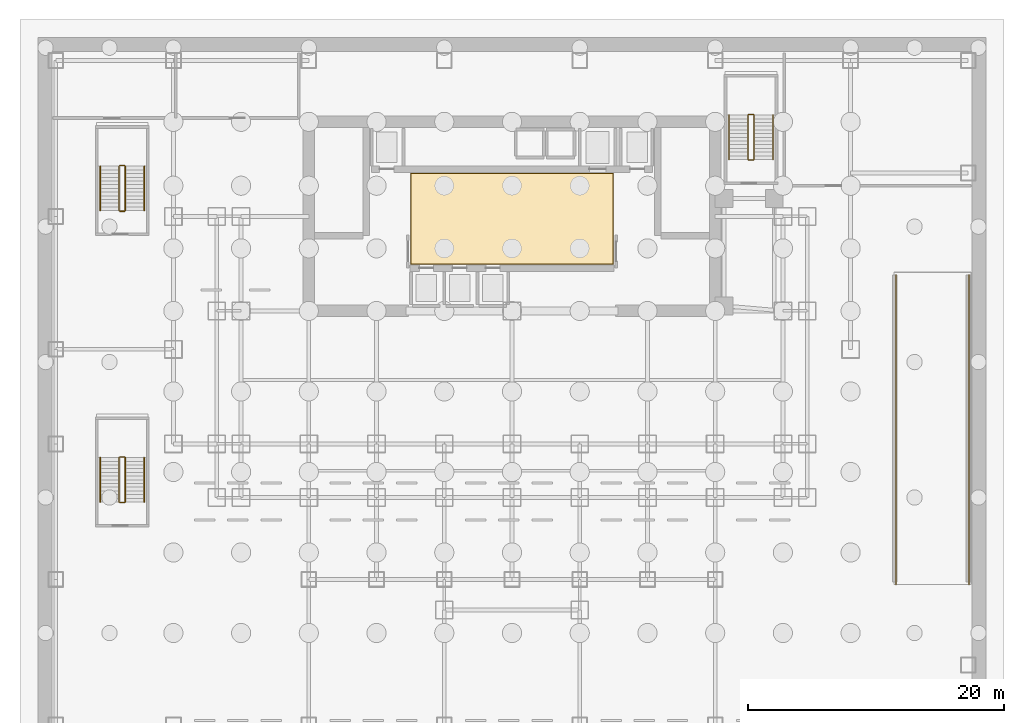
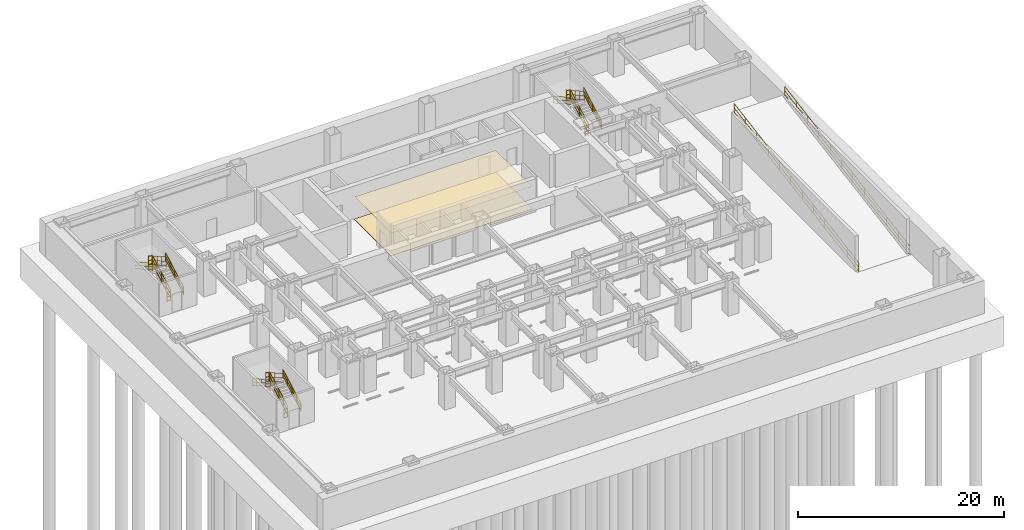
# One storey, part 6 of 7: 20 railings, 2 coverings.
"""IFC4 building model written with IfcOpenShell, lengths in metres."""

from ifc_helpers import new_model, si_unit, direction, frame, origin, origin_2d, place, context, subcontext, project, spatial, polyline, circle, outline, extrude, material, layer, layer_set, type_object, element, save


model = new_model("IFC4")

# Units and contexts
model_context = context("Model", 3, precision=1e-05, world=origin(), true_north=direction((0.0, 1.0)))
body_context = subcontext(model_context, "Body", "Model", "MODEL_VIEW")
ifc_project = project(units=[si_unit("LENGTHUNIT", "METRE"), si_unit("AREAUNIT", "SQUARE_METRE"), si_unit("VOLUMEUNIT", "CUBIC_METRE"), si_unit("PLANEANGLEUNIT", "RADIAN"), si_unit("MASSUNIT", "GRAM", prefix="KILO")], contexts=[model_context])

# Site, building, storey
site_placement = place(None, origin())
site = spatial("IfcSite", under=ifc_project, at=site_placement, CompositionType="ELEMENT")
building_placement = place(site_placement, origin())
building = spatial("IfcBuilding", under=site, at=building_placement, Name="Qianlan Lanfeng Residences", CompositionType="ELEMENT")
storey_placement = place(building_placement, frame((0.0, 0.0, -8.39990234375)))
storey = spatial("IfcBuildingStorey", under=building, at=storey_placement, Name="B2", CompositionType="ELEMENT", Elevation=-8.39990234375)

# Coverings
ifc_material_1 = material(Name="Acoustic Perforated Gypsum Ceiling Board")
ifc_layer_1 = layer(ifc_material_1, 0.02001953125)
ifc_layer_set_1 = layer_set([ifc_layer_1], Name="Acoustic Perforated Gypsum Ceiling Board")
covering_type_1 = type_object("IfcCoveringType", Name="CLG-GYP-15", PredefinedType="CEILING", material=ifc_layer_set_1)
covering_1_placement = place(storey_placement, frame((0.0, 0.0, 2.659912109375)))
element("IfcCovering", 1, at=covering_1_placement, inside=storey, type_object=covering_type_1, Name="B2 Lift Lobby Suspended Ceiling", PredefinedType="CEILING", context=body_context, shape_type="SweptSolid", body=[
    extrude(outline(polyline([(18.60009765625, 28.8701171875), (34.39990234375, 28.8701171875), (34.39990234375, 35.9599609375), (18.60009765625, 35.9599609375), (18.60009765625, 28.8701171875)])), origin(), (0.0, 0.0, 1.0), 0.02001953125),
])
ifc_material_2 = material(Name="Honed Taitung Granite Stone Flooring", Category="masonry")
ifc_layer_2 = layer(ifc_material_2, 0.030029296875)
ifc_layer_set_2 = layer_set([ifc_layer_2], Name="Honed Taitung Granite Stone Flooring")
covering_type_2 = type_object("IfcCoveringType", Name="FLR-STN-30", PredefinedType="FLOORING", material=ifc_layer_set_2)
covering_2_placement = place(storey_placement, origin())
element("IfcCovering", 2, at=covering_2_placement, inside=storey, type_object=covering_type_2, Name="B2 Lift Lobby Floor Finish", PredefinedType="FLOORING", context=body_context, shape_type="SweptSolid", body=[
    extrude(outline(polyline([(18.550048828125, 28.820068359375), (34.449951171875, 28.820068359375), (34.449951171875, 36.010009765625), (18.550048828125, 36.010009765625), (18.550048828125, 28.820068359375)])), origin(), (0.0, 0.0, 1.0), 0.02978515625),
])

# Railings
ifc_material_3 = material(Name="Painted Galvanised Steel Guardrail", Category="steel")
railing_type_1 = type_object("IfcRailingType", Name="GR-ST-1120", PredefinedType="GUARDRAIL", material=ifc_material_3)
railing_1_placement = place(storey_placement, frame((-3.760009765625, 33.050048828125, 0.161376953125)))
element("IfcRailing", 3, at=railing_1_placement, inside=storey, type_object=railing_type_1, Name="B2 ST-B1 stair guard 1", PredefinedType="GUARDRAIL", context=body_context, shape_type="SweptSolid", body=[
    extrude(circle(Radius=0.02392578125, at=origin_2d()), frame((0.0, 0.0, 0.083984375), z_axis=(0.0, 0.87360743253, 0.486631332559), x_axis=(-1.0, 0.0, 0.0)), (0.0, 0.0, 1.0), 3.9833984375),
    extrude(circle(Radius=0.02392578125, at=origin_2d()), frame((0.0, 0.0, 0.58251953125), z_axis=(0.0, 0.87360743253, 0.486631332559), x_axis=(-1.0, 0.0, 0.0)), (0.0, 0.0, 1.0), 3.9833984375),
    extrude(circle(Radius=0.02392578125, at=origin_2d()), frame((0.0, 0.0, 1.09619140625), z_axis=(0.0, 0.87360743253, 0.486631332559), x_axis=(-1.0, 0.0, 0.0)), (0.0, 0.0, 1.0), 3.9833984375),
    extrude(circle(Radius=0.02099609375, at=origin_2d()), origin(), (0.0, 0.0, 1.0), 1.072021484375),
    extrude(circle(Radius=0.02099609375, at=origin_2d()), frame((0.0, 0.8701171875, 0.484619140625)), (0.0, 0.0, 1.0), 1.072021484375),
    extrude(circle(Radius=0.02099609375, at=origin_2d()), frame((0.0, 1.739990234375, 0.96923828125)), (0.0, 0.0, 1.0), 1.072021484375),
    extrude(circle(Radius=0.02099609375, at=origin_2d()), frame((0.0, 2.60986328125, 1.453857421875)), (0.0, 0.0, 1.0), 1.072021484375),
    extrude(circle(Radius=0.02099609375, at=origin_2d()), frame((0.0, 3.47998046875, 1.9384765625)), (0.0, 0.0, 1.0), 1.072021484375),
])
railing_2_placement = place(storey_placement, frame((-3.81005859375, 36.580078125, 2.099853515625)))
element("IfcRailing", 4, at=railing_2_placement, inside=storey, type_object=railing_type_1, Name="B2 ST-B1 stair guard 2", PredefinedType="GUARDRAIL", context=body_context, shape_type="SweptSolid", body=[
    extrude(circle(Radius=0.02392578125, at=origin_2d()), frame((0.0, 0.0, 0.083984375), z_axis=(-1.0, 0.0, 0.0), x_axis=(0.0, -1.0, 0.0)), (0.0, 0.0, 1.0), 0.3798828125),
    extrude(circle(Radius=0.02392578125, at=origin_2d()), frame((0.0, 0.0, 0.58251953125), z_axis=(-1.0, 0.0, 0.0), x_axis=(0.0, -1.0, 0.0)), (0.0, 0.0, 1.0), 0.3798828125),
    extrude(circle(Radius=0.02392578125, at=origin_2d()), frame((0.0, 0.0, 1.09619140625), z_axis=(-1.0, 0.0, 0.0), x_axis=(0.0, -1.0, 0.0)), (0.0, 0.0, 1.0), 0.3798828125),
    extrude(circle(Radius=0.02099609375, at=origin_2d()), origin(), (0.0, 0.0, 1.0), 1.072021484375),
    extrude(circle(Radius=0.02099609375, at=origin_2d()), frame((-0.3798828125, 0.0, 0.0)), (0.0, 0.0, 1.0), 1.072021484375),
])
railing_3_placement = place(storey_placement, frame((-4.239990234375, 36.530029296875, 2.261474609375)))
element("IfcRailing", 5, at=railing_3_placement, inside=storey, type_object=railing_type_1, Name="B2 ST-B1 stair guard 3", PredefinedType="GUARDRAIL", context=body_context, shape_type="SweptSolid", body=[
    extrude(circle(Radius=0.02392578125, at=origin_2d()), frame((0.0, 0.0, 0.083984375), z_axis=(0.0, -0.87360743253, 0.486631332559), x_axis=(1.0, 0.0, 0.0)), (0.0, 0.0, 1.0), 3.9833984375),
    extrude(circle(Radius=0.02392578125, at=origin_2d()), frame((0.0, 0.0, 0.58251953125), z_axis=(0.0, -0.87360743253, 0.486631332559), x_axis=(1.0, 0.0, 0.0)), (0.0, 0.0, 1.0), 3.9833984375),
    extrude(circle(Radius=0.02392578125, at=origin_2d()), frame((0.0, 0.0, 1.09619140625), z_axis=(0.0, -0.87360743253, 0.486631332559), x_axis=(1.0, 0.0, 0.0)), (0.0, 0.0, 1.0), 3.9833984375),
    extrude(circle(Radius=0.02099609375, at=origin_2d()), origin(), (0.0, 0.0, 1.0), 1.072021484375),
    extrude(circle(Radius=0.02099609375, at=origin_2d()), frame((0.0, -0.8701171875, 0.484619140625)), (0.0, 0.0, 1.0), 1.072021484375),
    extrude(circle(Radius=0.02099609375, at=origin_2d()), frame((0.0, -1.739990234375, 0.96923828125)), (0.0, 0.0, 1.0), 1.072021484375),
    extrude(circle(Radius=0.02099609375, at=origin_2d()), frame((0.0, -2.60986328125, 1.453857421875)), (0.0, 0.0, 1.0), 1.072021484375),
    extrude(circle(Radius=0.02099609375, at=origin_2d()), frame((0.0, -3.47998046875, 1.9384765625)), (0.0, 0.0, 1.0), 1.072021484375),
])
railing_4_placement = place(storey_placement, frame((-3.81005859375, 33.0, 0.0)))
element("IfcRailing", 6, at=railing_4_placement, inside=storey, type_object=railing_type_1, Name="B2 ST-B1 stair guard 4", PredefinedType="GUARDRAIL", context=body_context, shape_type="SweptSolid", body=[
    extrude(circle(Radius=0.02392578125, at=origin_2d()), frame((0.0, 0.0, 0.083984375), z_axis=(-1.0, 0.0, 0.0), x_axis=(0.0, -1.0, 0.0)), (0.0, 0.0, 1.0), 0.3798828125),
    extrude(circle(Radius=0.02392578125, at=origin_2d()), frame((0.0, 0.0, 0.58251953125), z_axis=(-1.0, 0.0, 0.0), x_axis=(0.0, -1.0, 0.0)), (0.0, 0.0, 1.0), 0.3798828125),
    extrude(circle(Radius=0.02392578125, at=origin_2d()), frame((0.0, 0.0, 1.09619140625), z_axis=(-1.0, 0.0, 0.0), x_axis=(0.0, -1.0, 0.0)), (0.0, 0.0, 1.0), 0.3798828125),
    extrude(circle(Radius=0.02099609375, at=origin_2d()), origin(), (0.0, 0.0, 1.0), 1.072021484375),
    extrude(circle(Radius=0.02099609375, at=origin_2d()), frame((-0.3798828125, 0.0, 0.0)), (0.0, 0.0, 1.0), 1.072021484375),
])
railing_5_placement = place(storey_placement, frame((45.43994140625, 37.050048828125, 0.161376953125)))
element("IfcRailing", 7, at=railing_5_placement, inside=storey, type_object=railing_type_1, Name="B2 ST-B2 stair guard 1", PredefinedType="GUARDRAIL", context=body_context, shape_type="SweptSolid", body=[
    extrude(circle(Radius=0.02392578125, at=origin_2d()), frame((0.0, 0.0, 0.083984375), z_axis=(0.0, 0.87360743253, 0.486631332559), x_axis=(-1.0, 0.0, 0.0)), (0.0, 0.0, 1.0), 3.9833984375),
    extrude(circle(Radius=0.02392578125, at=origin_2d()), frame((0.0, 0.0, 0.58251953125), z_axis=(0.0, 0.87360743253, 0.486631332559), x_axis=(-1.0, 0.0, 0.0)), (0.0, 0.0, 1.0), 3.9833984375),
    extrude(circle(Radius=0.02392578125, at=origin_2d()), frame((0.0, 0.0, 1.09619140625), z_axis=(0.0, 0.87360743253, 0.486631332559), x_axis=(-1.0, 0.0, 0.0)), (0.0, 0.0, 1.0), 3.9833984375),
    extrude(circle(Radius=0.02099609375, at=origin_2d()), origin(), (0.0, 0.0, 1.0), 1.072021484375),
    extrude(circle(Radius=0.02099609375, at=origin_2d()), frame((0.0, 0.8701171875, 0.484619140625)), (0.0, 0.0, 1.0), 1.072021484375),
    extrude(circle(Radius=0.02099609375, at=origin_2d()), frame((0.0, 1.739990234375, 0.96923828125)), (0.0, 0.0, 1.0), 1.072021484375),
    extrude(circle(Radius=0.02099609375, at=origin_2d()), frame((0.0, 2.60986328125, 1.453857421875)), (0.0, 0.0, 1.0), 1.072021484375),
    extrude(circle(Radius=0.02099609375, at=origin_2d()), frame((0.0, 3.47998046875, 1.9384765625)), (0.0, 0.0, 1.0), 1.072021484375),
])
railing_6_placement = place(storey_placement, frame((45.389892578125, 40.580078125, 2.099853515625)))
element("IfcRailing", 8, at=railing_6_placement, inside=storey, type_object=railing_type_1, Name="B2 ST-B2 stair guard 2", PredefinedType="GUARDRAIL", context=body_context, shape_type="SweptSolid", body=[
    extrude(circle(Radius=0.02392578125, at=origin_2d()), frame((0.0, 0.0, 0.083984375), z_axis=(-1.0, 0.0, 0.0), x_axis=(0.0, -1.0, 0.0)), (0.0, 0.0, 1.0), 0.3798828125),
    extrude(circle(Radius=0.02392578125, at=origin_2d()), frame((0.0, 0.0, 0.58251953125), z_axis=(-1.0, 0.0, 0.0), x_axis=(0.0, -1.0, 0.0)), (0.0, 0.0, 1.0), 0.3798828125),
    extrude(circle(Radius=0.02392578125, at=origin_2d()), frame((0.0, 0.0, 1.09619140625), z_axis=(-1.0, 0.0, 0.0), x_axis=(0.0, -1.0, 0.0)), (0.0, 0.0, 1.0), 0.3798828125),
    extrude(circle(Radius=0.02099609375, at=origin_2d()), origin(), (0.0, 0.0, 1.0), 1.072021484375),
    extrude(circle(Radius=0.02099609375, at=origin_2d()), frame((-0.3798828125, 0.0, 0.0)), (0.0, 0.0, 1.0), 1.072021484375),
])
railing_7_placement = place(storey_placement, frame((44.9599609375, 40.530029296875, 2.261474609375)))
element("IfcRailing", 9, at=railing_7_placement, inside=storey, type_object=railing_type_1, Name="B2 ST-B2 stair guard 3", PredefinedType="GUARDRAIL", context=body_context, shape_type="SweptSolid", body=[
    extrude(circle(Radius=0.02392578125, at=origin_2d()), frame((0.0, 0.0, 0.083984375), z_axis=(0.0, -0.87360743253, 0.486631332559), x_axis=(1.0, 0.0, 0.0)), (0.0, 0.0, 1.0), 3.9833984375),
    extrude(circle(Radius=0.02392578125, at=origin_2d()), frame((0.0, 0.0, 0.58251953125), z_axis=(0.0, -0.87360743253, 0.486631332559), x_axis=(1.0, 0.0, 0.0)), (0.0, 0.0, 1.0), 3.9833984375),
    extrude(circle(Radius=0.02392578125, at=origin_2d()), frame((0.0, 0.0, 1.09619140625), z_axis=(0.0, -0.87360743253, 0.486631332559), x_axis=(1.0, 0.0, 0.0)), (0.0, 0.0, 1.0), 3.9833984375),
    extrude(circle(Radius=0.02099609375, at=origin_2d()), origin(), (0.0, 0.0, 1.0), 1.072021484375),
    extrude(circle(Radius=0.02099609375, at=origin_2d()), frame((0.0, -0.8701171875, 0.484619140625)), (0.0, 0.0, 1.0), 1.072021484375),
    extrude(circle(Radius=0.02099609375, at=origin_2d()), frame((0.0, -1.739990234375, 0.96923828125)), (0.0, 0.0, 1.0), 1.072021484375),
    extrude(circle(Radius=0.02099609375, at=origin_2d()), frame((0.0, -2.60986328125, 1.453857421875)), (0.0, 0.0, 1.0), 1.072021484375),
    extrude(circle(Radius=0.02099609375, at=origin_2d()), frame((0.0, -3.47998046875, 1.9384765625)), (0.0, 0.0, 1.0), 1.072021484375),
])
railing_8_placement = place(storey_placement, frame((45.389892578125, 37.0, 0.0)))
element("IfcRailing", 10, at=railing_8_placement, inside=storey, type_object=railing_type_1, Name="B2 ST-B2 stair guard 4", PredefinedType="GUARDRAIL", context=body_context, shape_type="SweptSolid", body=[
    extrude(circle(Radius=0.02392578125, at=origin_2d()), frame((0.0, 0.0, 0.083984375), z_axis=(-1.0, 0.0, 0.0), x_axis=(0.0, -1.0, 0.0)), (0.0, 0.0, 1.0), 0.3798828125),
    extrude(circle(Radius=0.02392578125, at=origin_2d()), frame((0.0, 0.0, 0.58251953125), z_axis=(-1.0, 0.0, 0.0), x_axis=(0.0, -1.0, 0.0)), (0.0, 0.0, 1.0), 0.3798828125),
    extrude(circle(Radius=0.02392578125, at=origin_2d()), frame((0.0, 0.0, 1.09619140625), z_axis=(-1.0, 0.0, 0.0), x_axis=(0.0, -1.0, 0.0)), (0.0, 0.0, 1.0), 0.3798828125),
    extrude(circle(Radius=0.02099609375, at=origin_2d()), origin(), (0.0, 0.0, 1.0), 1.072021484375),
    extrude(circle(Radius=0.02099609375, at=origin_2d()), frame((-0.3798828125, 0.0, 0.0)), (0.0, 0.0, 1.0), 1.072021484375),
])
railing_9_placement = place(storey_placement, frame((-3.760009765625, 10.25, 0.161376953125)))
element("IfcRailing", 11, at=railing_9_placement, inside=storey, type_object=railing_type_1, Name="B2 ST-BP1 stair guard 1", PredefinedType="GUARDRAIL", context=body_context, shape_type="SweptSolid", body=[
    extrude(circle(Radius=0.02392578125, at=origin_2d()), frame((0.0, 0.0, 0.083984375), z_axis=(0.0, 0.87360743253, 0.486631332559), x_axis=(-1.0, 0.0, 0.0)), (0.0, 0.0, 1.0), 3.9833984375),
    extrude(circle(Radius=0.02392578125, at=origin_2d()), frame((0.0, 0.0, 0.58251953125), z_axis=(0.0, 0.87360743253, 0.486631332559), x_axis=(-1.0, 0.0, 0.0)), (0.0, 0.0, 1.0), 3.9833984375),
    extrude(circle(Radius=0.02392578125, at=origin_2d()), frame((0.0, 0.0, 1.09619140625), z_axis=(0.0, 0.87360743253, 0.486631332559), x_axis=(-1.0, 0.0, 0.0)), (0.0, 0.0, 1.0), 3.9833984375),
    extrude(circle(Radius=0.02099609375, at=origin_2d()), origin(), (0.0, 0.0, 1.0), 1.072021484375),
    extrude(circle(Radius=0.02099609375, at=origin_2d()), frame((0.0, 0.8701171875, 0.484619140625)), (0.0, 0.0, 1.0), 1.072021484375),
    extrude(circle(Radius=0.02099609375, at=origin_2d()), frame((0.0, 1.739990234375, 0.96923828125)), (0.0, 0.0, 1.0), 1.072021484375),
    extrude(circle(Radius=0.02099609375, at=origin_2d()), frame((0.0, 2.60986328125, 1.453857421875)), (0.0, 0.0, 1.0), 1.072021484375),
    extrude(circle(Radius=0.02099609375, at=origin_2d()), frame((0.0, 3.47998046875, 1.9384765625)), (0.0, 0.0, 1.0), 1.072021484375),
])
railing_10_placement = place(storey_placement, frame((-3.81005859375, 13.780029296875, 2.099853515625)))
element("IfcRailing", 12, at=railing_10_placement, inside=storey, type_object=railing_type_1, Name="B2 ST-BP1 stair guard 2", PredefinedType="GUARDRAIL", context=body_context, shape_type="SweptSolid", body=[
    extrude(circle(Radius=0.02392578125, at=origin_2d()), frame((0.0, 0.0, 0.083984375), z_axis=(-1.0, 0.0, 0.0), x_axis=(0.0, -1.0, 0.0)), (0.0, 0.0, 1.0), 0.3798828125),
    extrude(circle(Radius=0.02392578125, at=origin_2d()), frame((0.0, 0.0, 0.58251953125), z_axis=(-1.0, 0.0, 0.0), x_axis=(0.0, -1.0, 0.0)), (0.0, 0.0, 1.0), 0.3798828125),
    extrude(circle(Radius=0.02392578125, at=origin_2d()), frame((0.0, 0.0, 1.09619140625), z_axis=(-1.0, 0.0, 0.0), x_axis=(0.0, -1.0, 0.0)), (0.0, 0.0, 1.0), 0.3798828125),
    extrude(circle(Radius=0.02099609375, at=origin_2d()), origin(), (0.0, 0.0, 1.0), 1.072021484375),
    extrude(circle(Radius=0.02099609375, at=origin_2d()), frame((-0.3798828125, 0.0, 0.0)), (0.0, 0.0, 1.0), 1.072021484375),
])
railing_11_placement = place(storey_placement, frame((-4.239990234375, 13.72998046875, 2.261474609375)))
element("IfcRailing", 13, at=railing_11_placement, inside=storey, type_object=railing_type_1, Name="B2 ST-BP1 stair guard 3", PredefinedType="GUARDRAIL", context=body_context, shape_type="SweptSolid", body=[
    extrude(circle(Radius=0.02392578125, at=origin_2d()), frame((0.0, 0.0, 0.083984375), z_axis=(0.0, -0.87360743253, 0.486631332559), x_axis=(1.0, 0.0, 0.0)), (0.0, 0.0, 1.0), 3.9833984375),
    extrude(circle(Radius=0.02392578125, at=origin_2d()), frame((0.0, 0.0, 0.58251953125), z_axis=(0.0, -0.87360743253, 0.486631332559), x_axis=(1.0, 0.0, 0.0)), (0.0, 0.0, 1.0), 3.9833984375),
    extrude(circle(Radius=0.02392578125, at=origin_2d()), frame((0.0, 0.0, 1.09619140625), z_axis=(0.0, -0.87360743253, 0.486631332559), x_axis=(1.0, 0.0, 0.0)), (0.0, 0.0, 1.0), 3.9833984375),
    extrude(circle(Radius=0.02099609375, at=origin_2d()), origin(), (0.0, 0.0, 1.0), 1.072021484375),
    extrude(circle(Radius=0.02099609375, at=origin_2d()), frame((0.0, -0.8701171875, 0.484619140625)), (0.0, 0.0, 1.0), 1.072021484375),
    extrude(circle(Radius=0.02099609375, at=origin_2d()), frame((0.0, -1.739990234375, 0.96923828125)), (0.0, 0.0, 1.0), 1.072021484375),
    extrude(circle(Radius=0.02099609375, at=origin_2d()), frame((0.0, -2.60986328125, 1.453857421875)), (0.0, 0.0, 1.0), 1.072021484375),
    extrude(circle(Radius=0.02099609375, at=origin_2d()), frame((0.0, -3.47998046875, 1.9384765625)), (0.0, 0.0, 1.0), 1.072021484375),
])
railing_12_placement = place(storey_placement, frame((-3.81005859375, 10.199951171875, 0.0)))
element("IfcRailing", 14, at=railing_12_placement, inside=storey, type_object=railing_type_1, Name="B2 ST-BP1 stair guard 4", PredefinedType="GUARDRAIL", context=body_context, shape_type="SweptSolid", body=[
    extrude(circle(Radius=0.02392578125, at=origin_2d()), frame((0.0, 0.0, 0.083984375), z_axis=(-1.0, 0.0, 0.0), x_axis=(0.0, -1.0, 0.0)), (0.0, 0.0, 1.0), 0.3798828125),
    extrude(circle(Radius=0.02392578125, at=origin_2d()), frame((0.0, 0.0, 0.58251953125), z_axis=(-1.0, 0.0, 0.0), x_axis=(0.0, -1.0, 0.0)), (0.0, 0.0, 1.0), 0.3798828125),
    extrude(circle(Radius=0.02392578125, at=origin_2d()), frame((0.0, 0.0, 1.09619140625), z_axis=(-1.0, 0.0, 0.0), x_axis=(0.0, -1.0, 0.0)), (0.0, 0.0, 1.0), 0.3798828125),
    extrude(circle(Radius=0.02099609375, at=origin_2d()), origin(), (0.0, 0.0, 1.0), 1.072021484375),
    extrude(circle(Radius=0.02099609375, at=origin_2d()), frame((-0.3798828125, 0.0, 0.0)), (0.0, 0.0, 1.0), 1.072021484375),
])
railing_13_placement = place(storey_placement, frame((56.550048828125, 3.800048828125, 0.0)))
element("IfcRailing", 15, at=railing_13_placement, inside=storey, type_object=railing_type_1, Name="Vehicle Ramp Side Guard B2-W", PredefinedType="GUARDRAIL", context=body_context, shape_type="SweptSolid", body=[
    extrude(circle(Radius=0.02392578125, at=origin_2d()), frame((0.0, 0.0, 0.083984375), z_axis=(0.0, 0.985271734917, 0.170995930871), x_axis=(-1.0, 0.0, 0.0)), (0.0, 0.0, 1.0), 24.561767578125),
    extrude(circle(Radius=0.02392578125, at=origin_2d()), frame((0.0, 0.0, 0.58251953125), z_axis=(0.0, 0.985271734917, 0.170995930871), x_axis=(-1.0, 0.0, 0.0)), (0.0, 0.0, 1.0), 24.561767578125),
    extrude(circle(Radius=0.02392578125, at=origin_2d()), frame((0.0, 0.0, 1.09619140625), z_axis=(0.0, 0.985271734917, 0.170995930871), x_axis=(-1.0, 0.0, 0.0)), (0.0, 0.0, 1.0), 24.561767578125),
    extrude(circle(Radius=0.02099609375, at=origin_2d()), origin(), (0.0, 0.0, 1.0), 1.072021484375),
    extrude(circle(Radius=0.02099609375, at=origin_2d()), frame((0.0, 2.199951171875, 0.3818359375)), (0.0, 0.0, 1.0), 1.072021484375),
    extrude(circle(Radius=0.02099609375, at=origin_2d()), frame((0.0, 4.39990234375, 0.763671875)), (0.0, 0.0, 1.0), 1.072021484375),
    extrude(circle(Radius=0.02099609375, at=origin_2d()), frame((0.0, 6.60009765625, 1.1455078125)), (0.0, 0.0, 1.0), 1.072021484375),
    extrude(circle(Radius=0.02099609375, at=origin_2d()), frame((0.0, 8.800048828125, 1.52734375)), (0.0, 0.0, 1.0), 1.072021484375),
    extrude(circle(Radius=0.02099609375, at=origin_2d()), frame((0.0, 11.0, 1.9091796875)), (0.0, 0.0, 1.0), 1.072021484375),
    extrude(circle(Radius=0.02099609375, at=origin_2d()), frame((0.0, 13.199951171875, 2.290771484375)), (0.0, 0.0, 1.0), 1.072021484375),
    extrude(circle(Radius=0.02099609375, at=origin_2d()), frame((0.0, 15.39990234375, 2.672607421875)), (0.0, 0.0, 1.0), 1.072021484375),
    extrude(circle(Radius=0.02099609375, at=origin_2d()), frame((0.0, 17.599853515625, 3.054443359375)), (0.0, 0.0, 1.0), 1.072021484375),
    extrude(circle(Radius=0.02099609375, at=origin_2d()), frame((0.0, 19.800048828125, 3.436279296875)), (0.0, 0.0, 1.0), 1.072021484375),
    extrude(circle(Radius=0.02099609375, at=origin_2d()), frame((0.0, 22.0, 3.818115234375)), (0.0, 0.0, 1.0), 1.072021484375),
    extrude(circle(Radius=0.02099609375, at=origin_2d()), frame((0.0, 24.199951171875, 4.199951171875)), (0.0, 0.0, 1.0), 1.072021484375),
])
railing_14_placement = place(storey_placement, frame((62.25, 3.800048828125, 0.0)))
element("IfcRailing", 16, at=railing_14_placement, inside=storey, type_object=railing_type_1, Name="Vehicle Ramp Side Guard B2-E", PredefinedType="GUARDRAIL", context=body_context, shape_type="SweptSolid", body=[
    extrude(circle(Radius=0.02392578125, at=origin_2d()), frame((0.0, 0.0, 0.083984375), z_axis=(0.0, 0.985271734917, 0.170995930871), x_axis=(-1.0, 0.0, 0.0)), (0.0, 0.0, 1.0), 24.561767578125),
    extrude(circle(Radius=0.02392578125, at=origin_2d()), frame((0.0, 0.0, 0.58251953125), z_axis=(0.0, 0.985271734917, 0.170995930871), x_axis=(-1.0, 0.0, 0.0)), (0.0, 0.0, 1.0), 24.561767578125),
    extrude(circle(Radius=0.02392578125, at=origin_2d()), frame((0.0, 0.0, 1.09619140625), z_axis=(0.0, 0.985271734917, 0.170995930871), x_axis=(-1.0, 0.0, 0.0)), (0.0, 0.0, 1.0), 24.561767578125),
    extrude(circle(Radius=0.02099609375, at=origin_2d()), origin(), (0.0, 0.0, 1.0), 1.072021484375),
    extrude(circle(Radius=0.02099609375, at=origin_2d()), frame((0.0, 2.199951171875, 0.3818359375)), (0.0, 0.0, 1.0), 1.072021484375),
    extrude(circle(Radius=0.02099609375, at=origin_2d()), frame((0.0, 4.39990234375, 0.763671875)), (0.0, 0.0, 1.0), 1.072021484375),
    extrude(circle(Radius=0.02099609375, at=origin_2d()), frame((0.0, 6.60009765625, 1.1455078125)), (0.0, 0.0, 1.0), 1.072021484375),
    extrude(circle(Radius=0.02099609375, at=origin_2d()), frame((0.0, 8.800048828125, 1.52734375)), (0.0, 0.0, 1.0), 1.072021484375),
    extrude(circle(Radius=0.02099609375, at=origin_2d()), frame((0.0, 11.0, 1.9091796875)), (0.0, 0.0, 1.0), 1.072021484375),
    extrude(circle(Radius=0.02099609375, at=origin_2d()), frame((0.0, 13.199951171875, 2.290771484375)), (0.0, 0.0, 1.0), 1.072021484375),
    extrude(circle(Radius=0.02099609375, at=origin_2d()), frame((0.0, 15.39990234375, 2.672607421875)), (0.0, 0.0, 1.0), 1.072021484375),
    extrude(circle(Radius=0.02099609375, at=origin_2d()), frame((0.0, 17.599853515625, 3.054443359375)), (0.0, 0.0, 1.0), 1.072021484375),
    extrude(circle(Radius=0.02099609375, at=origin_2d()), frame((0.0, 19.800048828125, 3.436279296875)), (0.0, 0.0, 1.0), 1.072021484375),
    extrude(circle(Radius=0.02099609375, at=origin_2d()), frame((0.0, 22.0, 3.818115234375)), (0.0, 0.0, 1.0), 1.072021484375),
    extrude(circle(Radius=0.02099609375, at=origin_2d()), frame((0.0, 24.199951171875, 4.199951171875)), (0.0, 0.0, 1.0), 1.072021484375),
])
ifc_material_4 = material(Name="Brushed Stainless Steel Handrail", Category="steel")
railing_type_2 = type_object("IfcRailingType", Name="HR-ST-920", PredefinedType="HANDRAIL", material=ifc_material_4)
railing_15_placement = place(storey_placement, frame((-2.280029296875, 33.050048828125, 0.161376953125)))
element("IfcRailing", 17, at=railing_15_placement, inside=storey, type_object=railing_type_2, Name="B2 ST-B1 stair handrail 1", PredefinedType="HANDRAIL", context=body_context, shape_type="SweptSolid", body=[
    extrude(circle(Radius=0.02392578125, at=origin_2d()), frame((0.0, 0.0, 0.083984375), z_axis=(0.0, 0.87360743253, 0.486631332559), x_axis=(-1.0, 0.0, 0.0)), (0.0, 0.0, 1.0), 3.9833984375),
    extrude(circle(Radius=0.02392578125, at=origin_2d()), frame((0.0, 0.0, 0.468017578125), z_axis=(0.0, 0.87360743253, 0.486631332559), x_axis=(-1.0, 0.0, 0.0)), (0.0, 0.0, 1.0), 3.9833984375),
    extrude(circle(Radius=0.02392578125, at=origin_2d()), frame((0.0, 0.0, 0.8759765625), z_axis=(0.0, 0.87360743253, 0.486631332559), x_axis=(-1.0, 0.0, 0.0)), (0.0, 0.0, 1.0), 3.9833984375),
    extrude(circle(Radius=0.02099609375, at=origin_2d()), origin(), (0.0, 0.0, 1.0), 0.851806640625),
    extrude(circle(Radius=0.02099609375, at=origin_2d()), frame((0.0, 0.8701171875, 0.484619140625)), (0.0, 0.0, 1.0), 0.851806640625),
    extrude(circle(Radius=0.02099609375, at=origin_2d()), frame((0.0, 1.739990234375, 0.96923828125)), (0.0, 0.0, 1.0), 0.851806640625),
    extrude(circle(Radius=0.02099609375, at=origin_2d()), frame((0.0, 2.60986328125, 1.453857421875)), (0.0, 0.0, 1.0), 0.851806640625),
    extrude(circle(Radius=0.02099609375, at=origin_2d()), frame((0.0, 3.47998046875, 1.9384765625)), (0.0, 0.0, 1.0), 0.851806640625),
])
railing_16_placement = place(storey_placement, frame((-5.719970703125, 36.530029296875, 2.261474609375)))
element("IfcRailing", 18, at=railing_16_placement, inside=storey, type_object=railing_type_2, Name="B2 ST-B1 stair handrail 2", PredefinedType="HANDRAIL", context=body_context, shape_type="SweptSolid", body=[
    extrude(circle(Radius=0.02392578125, at=origin_2d()), frame((0.0, 0.0, 0.083984375), z_axis=(0.0, -0.87360743253, 0.486631332559), x_axis=(1.0, 0.0, 0.0)), (0.0, 0.0, 1.0), 3.9833984375),
    extrude(circle(Radius=0.02392578125, at=origin_2d()), frame((0.0, 0.0, 0.468017578125), z_axis=(0.0, -0.87360743253, 0.486631332559), x_axis=(1.0, 0.0, 0.0)), (0.0, 0.0, 1.0), 3.9833984375),
    extrude(circle(Radius=0.02392578125, at=origin_2d()), frame((0.0, 0.0, 0.8759765625), z_axis=(0.0, -0.87360743253, 0.486631332559), x_axis=(1.0, 0.0, 0.0)), (0.0, 0.0, 1.0), 3.9833984375),
    extrude(circle(Radius=0.02099609375, at=origin_2d()), origin(), (0.0, 0.0, 1.0), 0.851806640625),
    extrude(circle(Radius=0.02099609375, at=origin_2d()), frame((0.0, -0.8701171875, 0.484619140625)), (0.0, 0.0, 1.0), 0.851806640625),
    extrude(circle(Radius=0.02099609375, at=origin_2d()), frame((0.0, -1.739990234375, 0.96923828125)), (0.0, 0.0, 1.0), 0.851806640625),
    extrude(circle(Radius=0.02099609375, at=origin_2d()), frame((0.0, -2.60986328125, 1.453857421875)), (0.0, 0.0, 1.0), 0.851806640625),
    extrude(circle(Radius=0.02099609375, at=origin_2d()), frame((0.0, -3.47998046875, 1.9384765625)), (0.0, 0.0, 1.0), 0.851806640625),
])
railing_17_placement = place(storey_placement, frame((46.919921875, 37.050048828125, 0.161376953125)))
element("IfcRailing", 19, at=railing_17_placement, inside=storey, type_object=railing_type_2, Name="B2 ST-B2 stair handrail 1", PredefinedType="HANDRAIL", context=body_context, shape_type="SweptSolid", body=[
    extrude(circle(Radius=0.02392578125, at=origin_2d()), frame((0.0, 0.0, 0.083984375), z_axis=(0.0, 0.87360743253, 0.486631332559), x_axis=(-1.0, 0.0, 0.0)), (0.0, 0.0, 1.0), 3.9833984375),
    extrude(circle(Radius=0.02392578125, at=origin_2d()), frame((0.0, 0.0, 0.468017578125), z_axis=(0.0, 0.87360743253, 0.486631332559), x_axis=(-1.0, 0.0, 0.0)), (0.0, 0.0, 1.0), 3.9833984375),
    extrude(circle(Radius=0.02392578125, at=origin_2d()), frame((0.0, 0.0, 0.8759765625), z_axis=(0.0, 0.87360743253, 0.486631332559), x_axis=(-1.0, 0.0, 0.0)), (0.0, 0.0, 1.0), 3.9833984375),
    extrude(circle(Radius=0.02099609375, at=origin_2d()), origin(), (0.0, 0.0, 1.0), 0.851806640625),
    extrude(circle(Radius=0.02099609375, at=origin_2d()), frame((0.0, 0.8701171875, 0.484619140625)), (0.0, 0.0, 1.0), 0.851806640625),
    extrude(circle(Radius=0.02099609375, at=origin_2d()), frame((0.0, 1.739990234375, 0.96923828125)), (0.0, 0.0, 1.0), 0.851806640625),
    extrude(circle(Radius=0.02099609375, at=origin_2d()), frame((0.0, 2.60986328125, 1.453857421875)), (0.0, 0.0, 1.0), 0.851806640625),
    extrude(circle(Radius=0.02099609375, at=origin_2d()), frame((0.0, 3.47998046875, 1.9384765625)), (0.0, 0.0, 1.0), 0.851806640625),
])
railing_18_placement = place(storey_placement, frame((43.47998046875, 40.530029296875, 2.261474609375)))
element("IfcRailing", 20, at=railing_18_placement, inside=storey, type_object=railing_type_2, Name="B2 ST-B2 stair handrail 2", PredefinedType="HANDRAIL", context=body_context, shape_type="SweptSolid", body=[
    extrude(circle(Radius=0.02392578125, at=origin_2d()), frame((0.0, 0.0, 0.083984375), z_axis=(0.0, -0.87360743253, 0.486631332559), x_axis=(1.0, 0.0, 0.0)), (0.0, 0.0, 1.0), 3.9833984375),
    extrude(circle(Radius=0.02392578125, at=origin_2d()), frame((0.0, 0.0, 0.468017578125), z_axis=(0.0, -0.87360743253, 0.486631332559), x_axis=(1.0, 0.0, 0.0)), (0.0, 0.0, 1.0), 3.9833984375),
    extrude(circle(Radius=0.02392578125, at=origin_2d()), frame((0.0, 0.0, 0.8759765625), z_axis=(0.0, -0.87360743253, 0.486631332559), x_axis=(1.0, 0.0, 0.0)), (0.0, 0.0, 1.0), 3.9833984375),
    extrude(circle(Radius=0.02099609375, at=origin_2d()), origin(), (0.0, 0.0, 1.0), 0.851806640625),
    extrude(circle(Radius=0.02099609375, at=origin_2d()), frame((0.0, -0.8701171875, 0.484619140625)), (0.0, 0.0, 1.0), 0.851806640625),
    extrude(circle(Radius=0.02099609375, at=origin_2d()), frame((0.0, -1.739990234375, 0.96923828125)), (0.0, 0.0, 1.0), 0.851806640625),
    extrude(circle(Radius=0.02099609375, at=origin_2d()), frame((0.0, -2.60986328125, 1.453857421875)), (0.0, 0.0, 1.0), 0.851806640625),
    extrude(circle(Radius=0.02099609375, at=origin_2d()), frame((0.0, -3.47998046875, 1.9384765625)), (0.0, 0.0, 1.0), 0.851806640625),
])
railing_19_placement = place(storey_placement, frame((-2.280029296875, 10.25, 0.161376953125)))
element("IfcRailing", 21, at=railing_19_placement, inside=storey, type_object=railing_type_2, Name="B2 ST-BP1 stair handrail 1", PredefinedType="HANDRAIL", context=body_context, shape_type="SweptSolid", body=[
    extrude(circle(Radius=0.02392578125, at=origin_2d()), frame((0.0, 0.0, 0.083984375), z_axis=(0.0, 0.87360743253, 0.486631332559), x_axis=(-1.0, 0.0, 0.0)), (0.0, 0.0, 1.0), 3.9833984375),
    extrude(circle(Radius=0.02392578125, at=origin_2d()), frame((0.0, 0.0, 0.468017578125), z_axis=(0.0, 0.87360743253, 0.486631332559), x_axis=(-1.0, 0.0, 0.0)), (0.0, 0.0, 1.0), 3.9833984375),
    extrude(circle(Radius=0.02392578125, at=origin_2d()), frame((0.0, 0.0, 0.8759765625), z_axis=(0.0, 0.87360743253, 0.486631332559), x_axis=(-1.0, 0.0, 0.0)), (0.0, 0.0, 1.0), 3.9833984375),
    extrude(circle(Radius=0.02099609375, at=origin_2d()), origin(), (0.0, 0.0, 1.0), 0.851806640625),
    extrude(circle(Radius=0.02099609375, at=origin_2d()), frame((0.0, 0.8701171875, 0.484619140625)), (0.0, 0.0, 1.0), 0.851806640625),
    extrude(circle(Radius=0.02099609375, at=origin_2d()), frame((0.0, 1.739990234375, 0.96923828125)), (0.0, 0.0, 1.0), 0.851806640625),
    extrude(circle(Radius=0.02099609375, at=origin_2d()), frame((0.0, 2.60986328125, 1.453857421875)), (0.0, 0.0, 1.0), 0.851806640625),
    extrude(circle(Radius=0.02099609375, at=origin_2d()), frame((0.0, 3.47998046875, 1.9384765625)), (0.0, 0.0, 1.0), 0.851806640625),
])
railing_20_placement = place(storey_placement, frame((-5.719970703125, 13.72998046875, 2.261474609375)))
element("IfcRailing", 22, at=railing_20_placement, inside=storey, type_object=railing_type_2, Name="B2 ST-BP1 stair handrail 2", PredefinedType="HANDRAIL", context=body_context, shape_type="SweptSolid", body=[
    extrude(circle(Radius=0.02392578125, at=origin_2d()), frame((0.0, 0.0, 0.083984375), z_axis=(0.0, -0.87360743253, 0.486631332559), x_axis=(1.0, 0.0, 0.0)), (0.0, 0.0, 1.0), 3.9833984375),
    extrude(circle(Radius=0.02392578125, at=origin_2d()), frame((0.0, 0.0, 0.468017578125), z_axis=(0.0, -0.87360743253, 0.486631332559), x_axis=(1.0, 0.0, 0.0)), (0.0, 0.0, 1.0), 3.9833984375),
    extrude(circle(Radius=0.02392578125, at=origin_2d()), frame((0.0, 0.0, 0.8759765625), z_axis=(0.0, -0.87360743253, 0.486631332559), x_axis=(1.0, 0.0, 0.0)), (0.0, 0.0, 1.0), 3.9833984375),
    extrude(circle(Radius=0.02099609375, at=origin_2d()), origin(), (0.0, 0.0, 1.0), 0.851806640625),
    extrude(circle(Radius=0.02099609375, at=origin_2d()), frame((0.0, -0.8701171875, 0.484619140625)), (0.0, 0.0, 1.0), 0.851806640625),
    extrude(circle(Radius=0.02099609375, at=origin_2d()), frame((0.0, -1.739990234375, 0.96923828125)), (0.0, 0.0, 1.0), 0.851806640625),
    extrude(circle(Radius=0.02099609375, at=origin_2d()), frame((0.0, -2.60986328125, 1.453857421875)), (0.0, 0.0, 1.0), 0.851806640625),
    extrude(circle(Radius=0.02099609375, at=origin_2d()), frame((0.0, -3.47998046875, 1.9384765625)), (0.0, 0.0, 1.0), 0.851806640625),
])

save(model, "model.ifc")
